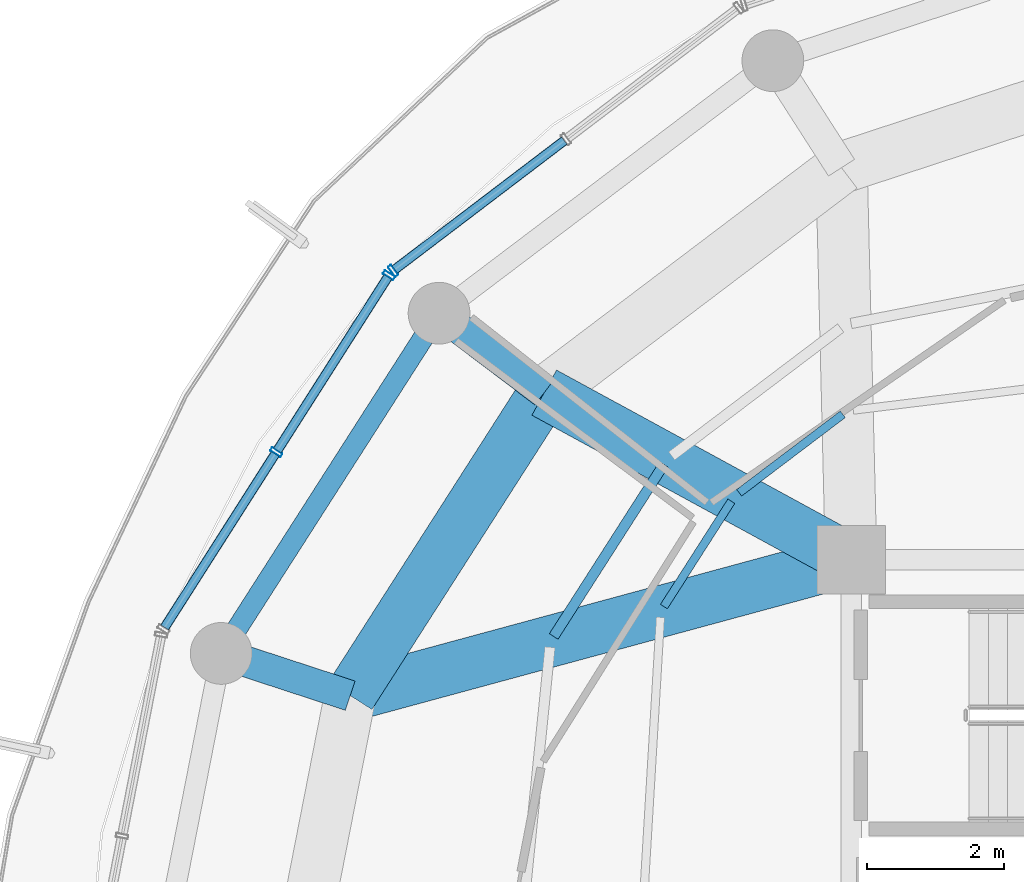
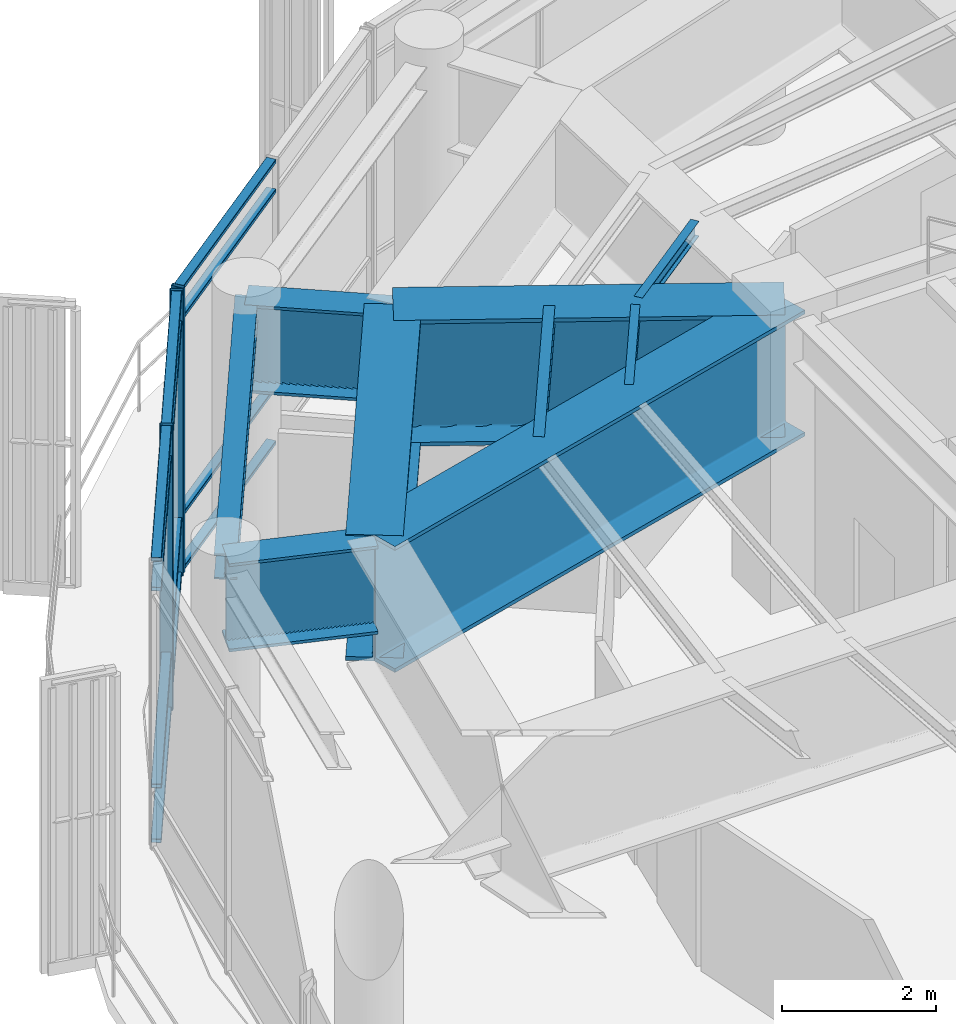
# One storey, part 8 of 23: 15 members, 9 beams, 2 elements without a shape of their own.
"""IFC4 building model written with IfcOpenShell, lengths in metres."""

from ifc_helpers import new_model, si_unit, direction, frame, origin, origin_2d, place, context, subcontext, project, spatial, hollow_rectangle, i_section, extrude, material, layer, layer_set, material_profile, profile_set, type_object, element, aggregate, save


model = new_model("IFC4")

# Units and contexts
model_context = context("Model", 3, precision=1e-05, world=origin(), true_north=direction((0.0, 1.0)))
body_context = subcontext(model_context, "Body", "Model", "MODEL_VIEW")
ifc_project = project(units=[si_unit("LENGTHUNIT", "METRE"), si_unit("AREAUNIT", "SQUARE_METRE"), si_unit("VOLUMEUNIT", "CUBIC_METRE"), si_unit("PLANEANGLEUNIT", "RADIAN"), si_unit("MASSUNIT", "GRAM", prefix="KILO")], contexts=[model_context])

# Site, building, storey
site_placement = place(None, origin())
site = spatial("IfcSite", under=ifc_project, at=site_placement, CompositionType="ELEMENT")
building_placement = place(site_placement, origin())
building = spatial("IfcBuilding", under=site, at=building_placement, Name="Kelanora Arch Commons", CompositionType="ELEMENT")
storey_placement = place(building_placement, frame((0.0, 0.0, 293.699951171875)))
storey = spatial("IfcBuildingStorey", under=building, at=storey_placement, Name="L75", CompositionType="ELEMENT", Elevation=293.699951171875)

# Beams
ifc_material_1 = material(Name="Steel S355", Category="steel")
ifc_material_profile_1 = material_profile(ifc_material_1, i_section(OverallWidth=0.14990234375, OverallDepth=0.300048828125, WebThickness=0.007080078125, FlangeThickness=0.0107421875, FilletRadius=0.014892578125, at=origin_2d()), Name="IPE300")
ifc_profile_set_1 = profile_set([ifc_material_profile_1], Name="Steel S355")
beam_type_1 = type_object("IfcBeamType", Name="BM-JST-01", PredefinedType="JOIST", material=ifc_profile_set_1)
beam_1_placement = place(storey_placement, frame((63.271484375, 66.39013671875, 4.39013671875), z_axis=(-0.539193378054, -0.84218198809, 0.0), x_axis=(0.84218198809, -0.539193378054, 0.0)))
element("IfcBeam", 1, at=beam_1_placement, inside=storey, type_object=beam_type_1, Name="Secondary Chord Joist BJB-14 L75", PredefinedType="JOIST", context=body_context, shape_type="SweptSolid", body=[
    extrude(i_section(OverallWidth=0.14990234375, OverallDepth=0.300048828125, WebThickness=0.007080078125, FlangeThickness=0.0107421875, FilletRadius=0.014892578125, at=origin_2d()), origin(), (0.0, 0.0, 1.0), 2.975830078125),
])
ifc_material_profile_2 = material_profile(ifc_material_1, i_section(OverallWidth=0.1201171875, OverallDepth=0.239990234375, WebThickness=0.006103515625, FlangeThickness=0.009765625, FilletRadius=0.014892578125, at=origin_2d()), Name="IPE240")
ifc_profile_set_2 = profile_set([ifc_material_profile_2], Name="Steel S355")
beam_type_2 = type_object("IfcBeamType", Name="BM-JST-02", PredefinedType="JOIST", material=ifc_profile_set_2)
beam_2_placement = place(storey_placement, frame((65.87890625, 67.119873046875, 4.420166015625), z_axis=(-0.797424826317, -0.603418301324, 0.0), x_axis=(0.603418301324, -0.797424826317, 0.0)))
element("IfcBeam", 2, at=beam_2_placement, inside=storey, type_object=beam_type_2, Name="Secondary Chord Joist BJA-12 L75", PredefinedType="JOIST", context=body_context, shape_type="SweptSolid", body=[
    extrude(i_section(OverallWidth=0.1201171875, OverallDepth=0.239990234375, WebThickness=0.006103515625, FlangeThickness=0.009765625, FilletRadius=0.014892578125, at=origin_2d()), origin(), (0.0, 0.0, 1.0), 1.893798828125),
])
beam_3_placement = place(storey_placement, frame((64.255126953125, 65.85400390625, 4.420166015625), z_axis=(-0.539300812993, -0.842113194947, 0.0), x_axis=(0.842113194947, -0.539300812993, 0.0)))
element("IfcBeam", 3, at=beam_3_placement, inside=storey, type_object=beam_type_2, Name="Secondary Chord Joist BJA-14 L75", PredefinedType="JOIST", context=body_context, shape_type="SweptSolid", body=[
    extrude(i_section(OverallWidth=0.1201171875, OverallDepth=0.239990234375, WebThickness=0.006103515625, FlangeThickness=0.009765625, FilletRadius=0.014892578125, at=origin_2d()), origin(), (0.0, 0.0, 1.0), 1.822021484375),
])
ifc_material_profile_3 = material_profile(ifc_material_1, i_section(OverallWidth=0.449951171875, OverallDepth=1.39990234375, WebThickness=0.028076171875, FlangeThickness=0.044921875, FilletRadius=0.02392578125, at=origin_2d()), Name="PG1400x450")
ifc_profile_set_3 = profile_set([ifc_material_profile_3], Name="Steel S355")
beam_type_3 = type_object("IfcBeamType", Name="BM-MAST-GRIL", PredefinedType="USERDEFINED", material=ifc_profile_set_3)
beam_4_placement = place(storey_placement, frame((61.52880859375, 67.43603515625, 3.820068359375), z_axis=(-0.798042616897, 0.60260101362, 0.0), x_axis=(-0.60260101362, -0.798042616897, 0.0)))
element("IfcBeam", 4, at=beam_4_placement, inside=storey, type_object=beam_type_3, Name="Radial Floor Girder BR-14 L75", ObjectType="TRANSFER_GIRDER", PredefinedType="USERDEFINED", context=body_context, shape_type="SweptSolid", body=[
    extrude(i_section(OverallWidth=0.449951171875, OverallDepth=1.39990234375, WebThickness=0.028076171875, FlangeThickness=0.044921875, FilletRadius=0.02392578125, at=origin_2d()), origin(), (0.0, 0.0, 1.0), 1.919921875),
])
beam_5_placement = place(storey_placement, frame((58.701904296875, 63.02099609375, 3.820068359375), z_axis=(-0.950336730407, 0.311223551228, 0.0), x_axis=(-0.311223551228, -0.950336730407, 0.0)))
element("IfcBeam", 5, at=beam_5_placement, inside=storey, type_object=beam_type_3, Name="Radial Floor Girder BR-16 L75", ObjectType="TRANSFER_GIRDER", PredefinedType="USERDEFINED", context=body_context, shape_type="SweptSolid", body=[
    extrude(i_section(OverallWidth=0.449951171875, OverallDepth=1.39990234375, WebThickness=0.028076171875, FlangeThickness=0.044921875, FilletRadius=0.02392578125, at=origin_2d()), origin(), (0.0, 0.0, 1.0), 1.9775390625),
])
ifc_material_profile_4 = material_profile(ifc_material_1, i_section(OverallWidth=0.300048828125, OverallDepth=0.39990234375, WebThickness=0.013427734375, FlangeThickness=0.02392578125, FilletRadius=0.027099609375, at=origin_2d()), Name="HEB400")
ifc_profile_set_4 = profile_set([ifc_material_profile_4], Name="Steel S355")
beam_type_4 = type_object("IfcBeamType", Name="BM-SPN-Z4", PredefinedType="SPANDREL", material=ifc_profile_set_4)
beam_6_placement = place(storey_placement, frame((59.99658203125, 68.593017578125, 4.320068359375), z_axis=(-0.539280851353, -0.842125978322, 0.0), x_axis=(0.842125978322, -0.539280851353, 0.0)))
element("IfcBeam", 6, at=beam_6_placement, inside=storey, type_object=beam_type_4, Name="Perimeter Spandrel Beam BS-14 L75", PredefinedType="SPANDREL", context=body_context, shape_type="SweptSolid", body=[
    extrude(i_section(OverallWidth=0.300048828125, OverallDepth=0.39990234375, WebThickness=0.013427734375, FlangeThickness=0.02392578125, FilletRadius=0.027099609375, at=origin_2d()), origin(), (0.0, 0.0, 1.0), 5.8857421875),
])
ifc_material_profile_5 = material_profile(ifc_material_1, i_section(OverallWidth=0.75, OverallDepth=2.0, WebThickness=0.034912109375, FlangeThickness=0.06005859375, FilletRadius=0.028076171875, at=origin_2d()), Name="PG2000x750")
ifc_profile_set_5 = profile_set([ifc_material_profile_5], Name="Steel S355")
beam_type_5 = type_object("IfcBeamType", Name="BM-XFER-SET", PredefinedType="USERDEFINED", material=ifc_profile_set_5)
beam_7_placement = place(storey_placement, frame((66.0, 65.0, 3.5400390625), z_axis=(-0.878126355987, 0.478428785631, 0.0), x_axis=(-0.478428785631, -0.878126355987, 0.0)))
element("IfcBeam", 7, at=beam_7_placement, inside=storey, type_object=beam_type_5, Name="Setback Radial Transfer Girder BRI-14 L75", ObjectType="TRANSFER_GIRDER", PredefinedType="USERDEFINED", context=body_context, shape_type="SweptSolid", body=[
    extrude(i_section(OverallWidth=0.75, OverallDepth=2.0, WebThickness=0.034912109375, FlangeThickness=0.06005859375, FilletRadius=0.028076171875, at=origin_2d()), origin(), (0.0, 0.0, 1.0), 5.091796875),
])
beam_8_placement = place(storey_placement, frame((66.0, 65.0, 3.5400390625), z_axis=(-0.965145027625, -0.26171563891, 0.0), x_axis=(0.26171563891, -0.965145027625, 0.0)))
element("IfcBeam", 8, at=beam_8_placement, inside=storey, type_object=beam_type_5, Name="Setback Radial Transfer Girder BRI-16 L75", ObjectType="TRANSFER_GIRDER", PredefinedType="USERDEFINED", context=body_context, shape_type="SweptSolid", body=[
    extrude(i_section(OverallWidth=0.75, OverallDepth=2.0, WebThickness=0.034912109375, FlangeThickness=0.06005859375, FilletRadius=0.028076171875, at=origin_2d()), origin(), (0.0, 0.0, 1.0), 7.561767578125),
])
beam_9_placement = place(storey_placement, frame((61.52880859375, 67.43603515625, 3.5400390625), z_axis=(-0.53922680048, -0.842160588987, 0.0), x_axis=(0.842160588987, -0.53922680048, 0.0)))
element("IfcBeam", 9, at=beam_9_placement, inside=storey, type_object=beam_type_5, Name="Setback Inner Transfer Ring BSI-14 L75", ObjectType="TRANSFER_GIRDER", PredefinedType="USERDEFINED", context=body_context, shape_type="SweptSolid", body=[
    extrude(i_section(OverallWidth=0.75, OverallDepth=2.0, WebThickness=0.034912109375, FlangeThickness=0.06005859375, FilletRadius=0.028076171875, at=origin_2d()), origin(), (0.0, 0.0, 1.0), 5.242431640625),
])

# Curtain wall, member
ifc_material_2 = material(Name="Terracotta ceramic-fritted low-E glass and aluminium", Category="masonry")
ifc_layer = layer(ifc_material_2, 0.22509765625)
ifc_layer_set = layer_set([ifc_layer], Name="Terracotta ceramic-fritted low-E glass and aluminium")
curtain_wall_type = type_object("IfcCurtainWallType", Name="CW-SYS-05", PredefinedType="NOTDEFINED", material=ifc_layer_set)
curtain_wall_1_placement = place(storey_placement, origin())
curtain_wall_1 = element("IfcCurtainWall", 10, at=curtain_wall_1_placement, inside=storey, type_object=curtain_wall_type, Name="Unitised Curtain Wall L75-B06", PredefinedType="NOTDEFINED")
ifc_material_3 = material(Name="Powder-coated aluminium terracotta", Category="masonry")
ifc_material_profile_6 = material_profile(ifc_material_3, hollow_rectangle(XDim=0.179931640625, YDim=0.06005859375, WallThickness=0.0048828125, InnerFilletRadius=0.0048828125, OuterFilletRadius=0.010009765625, at=origin_2d()), Name="CWM180x60")
ifc_profile_set_6 = profile_set([ifc_material_profile_6], Name="Powder-coated aluminium terracotta")
member_type_1 = type_object("IfcMemberType", Name="CWM-HVY", PredefinedType="MULLION", material=ifc_profile_set_6)
member_1_placement = place(storey_placement, frame((59.32763671875, 69.211669921875, 0.0), z_axis=(0.0, 0.0, 1.0), x_axis=(0.605284905243, -0.796008909174, 0.0)))
member_1 = element("IfcMember", 11, at=member_1_placement, type_object=member_type_1, Name="CW-05 mullion 3", PredefinedType="MULLION", context=body_context, shape_type="SweptSolid", body=[
    extrude(hollow_rectangle(XDim=0.179931640625, YDim=0.06005859375, WallThickness=0.0048828125, InnerFilletRadius=0.0048828125, OuterFilletRadius=0.010009765625, at=origin_2d()), origin(), (0.0, 0.0, 1.0), 4.525146484375),
])

# Curtain wall, members
curtain_wall_2_placement = place(storey_placement, origin())
curtain_wall_2 = element("IfcCurtainWall", 12, at=curtain_wall_2_placement, inside=storey, type_object=curtain_wall_type, Name="Unitised Curtain Wall L75-B07", PredefinedType="NOTDEFINED")
member_2_placement = place(storey_placement, frame((59.267578125, 69.146484375, 0.0), z_axis=(0.0, 0.0, 1.0), x_axis=(0.843391314545, -0.537299814397, 0.0)))
member_2 = element("IfcMember", 13, at=member_2_placement, type_object=member_type_1, Name="CW-05 mullion 1", PredefinedType="MULLION", context=body_context, shape_type="SweptSolid", body=[
    extrude(hollow_rectangle(XDim=0.179931640625, YDim=0.06005859375, WallThickness=0.0048828125, InnerFilletRadius=0.0048828125, OuterFilletRadius=0.010009765625, at=origin_2d()), origin(), (0.0, 0.0, 1.0), 4.525146484375),
])
member_3_placement = place(storey_placement, frame((57.625, 66.56787109375, 0.0), z_axis=(0.0, 0.0, 1.0), x_axis=(0.843391314545, -0.537299814397, 0.0)))
member_3 = element("IfcMember", 14, at=member_3_placement, type_object=member_type_1, Name="CW-05 mullion 2", PredefinedType="MULLION", context=body_context, shape_type="SweptSolid", body=[
    extrude(hollow_rectangle(XDim=0.179931640625, YDim=0.06005859375, WallThickness=0.0048828125, InnerFilletRadius=0.0048828125, OuterFilletRadius=0.010009765625, at=origin_2d()), origin(), (0.0, 0.0, 1.0), 4.525146484375),
])

# Member
ifc_material_profile_7 = material_profile(ifc_material_3, hollow_rectangle(XDim=0.139892578125, YDim=0.06005859375, WallThickness=0.0048828125, InnerFilletRadius=0.0048828125, OuterFilletRadius=0.010009765625, at=origin_2d()), Name="CWT140x60")
ifc_profile_set_7 = profile_set([ifc_material_profile_7], Name="Powder-coated aluminium terracotta")
member_type_2 = type_object("IfcMemberType", Name="CWT-HVY", PredefinedType="USERDEFINED", material=ifc_profile_set_7)
member_4_placement = place(storey_placement, frame((61.822021484375, 71.1083984375, 0.030029296875), z_axis=(-0.796027260327, -0.605260770922, 0.0), x_axis=(0.605260770922, -0.796027260327, 0.0)))
member_4 = element("IfcMember", 15, at=member_4_placement, type_object=member_type_2, Name="CW-05 transom 2.1", ObjectType="TRANSOM", PredefinedType="USERDEFINED", context=body_context, shape_type="SweptSolid", body=[
    extrude(hollow_rectangle(XDim=0.139892578125, YDim=0.06005859375, WallThickness=0.0048828125, InnerFilletRadius=0.0048828125, OuterFilletRadius=0.010009765625, at=origin_2d()), origin(), (0.0, 0.0, 1.0), 3.103515625),
])

member_5_placement = place(storey_placement, frame((61.822021484375, 71.1083984375, 0.900146484375), z_axis=(-0.796027260327, -0.605260770922, 0.0), x_axis=(0.605260770922, -0.796027260327, 0.0)))
member_5 = element("IfcMember", 16, at=member_5_placement, type_object=member_type_2, Name="CW-05 transom 2.2", ObjectType="TRANSOM", PredefinedType="USERDEFINED", context=body_context, shape_type="SweptSolid", body=[
    extrude(hollow_rectangle(XDim=0.139892578125, YDim=0.06005859375, WallThickness=0.0048828125, InnerFilletRadius=0.0048828125, OuterFilletRadius=0.010009765625, at=origin_2d()), origin(), (0.0, 0.0, 1.0), 3.103515625),
])

member_6_placement = place(storey_placement, frame((61.822021484375, 71.1083984375, 4.025146484375), z_axis=(-0.796027260327, -0.605260770922, 0.0), x_axis=(0.605260770922, -0.796027260327, 0.0)))
member_6 = element("IfcMember", 17, at=member_6_placement, type_object=member_type_2, Name="CW-05 transom 2.3", ObjectType="TRANSOM", PredefinedType="USERDEFINED", context=body_context, shape_type="SweptSolid", body=[
    extrude(hollow_rectangle(XDim=0.139892578125, YDim=0.06005859375, WallThickness=0.0048828125, InnerFilletRadius=0.0048828125, OuterFilletRadius=0.010009765625, at=origin_2d()), origin(), (0.0, 0.0, 1.0), 3.103515625),
])

member_7_placement = place(storey_placement, frame((61.822021484375, 71.1083984375, 4.4951171875), z_axis=(-0.796027260327, -0.605260770922, 0.0), x_axis=(0.605260770922, -0.796027260327, 0.0)))
member_7 = element("IfcMember", 18, at=member_7_placement, type_object=member_type_2, Name="CW-05 transom 2.4", ObjectType="TRANSOM", PredefinedType="USERDEFINED", context=body_context, shape_type="SweptSolid", body=[
    extrude(hollow_rectangle(XDim=0.139892578125, YDim=0.06005859375, WallThickness=0.0048828125, InnerFilletRadius=0.0048828125, OuterFilletRadius=0.010009765625, at=origin_2d()), origin(), (0.0, 0.0, 1.0), 3.103515625),
])

aggregate(curtain_wall_1, [member_1, member_4, member_5, member_6, member_7])

member_8_placement = place(storey_placement, frame((59.25146484375, 69.12109375, 0.030029296875), z_axis=(-0.537286543791, -0.84339976871, 0.0), x_axis=(0.84339976871, -0.537286543791, 0.0)))
member_8 = element("IfcMember", 19, at=member_8_placement, type_object=member_type_2, Name="CW-05 transom 1.1", ObjectType="TRANSOM", PredefinedType="USERDEFINED", context=body_context, shape_type="SweptSolid", body=[
    extrude(hollow_rectangle(XDim=0.139892578125, YDim=0.06005859375, WallThickness=0.0048828125, InnerFilletRadius=0.0048828125, OuterFilletRadius=0.010009765625, at=origin_2d()), origin(), (0.0, 0.0, 1.0), 2.997314453125),
])

member_9_placement = place(storey_placement, frame((59.25146484375, 69.12109375, 0.900146484375), z_axis=(-0.537286543791, -0.84339976871, 0.0), x_axis=(0.84339976871, -0.537286543791, 0.0)))
member_9 = element("IfcMember", 20, at=member_9_placement, type_object=member_type_2, Name="CW-05 transom 1.2", ObjectType="TRANSOM", PredefinedType="USERDEFINED", context=body_context, shape_type="SweptSolid", body=[
    extrude(hollow_rectangle(XDim=0.139892578125, YDim=0.06005859375, WallThickness=0.0048828125, InnerFilletRadius=0.0048828125, OuterFilletRadius=0.010009765625, at=origin_2d()), origin(), (0.0, 0.0, 1.0), 2.997314453125),
])

member_10_placement = place(storey_placement, frame((59.25146484375, 69.12109375, 4.025146484375), z_axis=(-0.537286543791, -0.84339976871, 0.0), x_axis=(0.84339976871, -0.537286543791, 0.0)))
member_10 = element("IfcMember", 21, at=member_10_placement, type_object=member_type_2, Name="CW-05 transom 1.3", ObjectType="TRANSOM", PredefinedType="USERDEFINED", context=body_context, shape_type="SweptSolid", body=[
    extrude(hollow_rectangle(XDim=0.139892578125, YDim=0.06005859375, WallThickness=0.0048828125, InnerFilletRadius=0.0048828125, OuterFilletRadius=0.010009765625, at=origin_2d()), origin(), (0.0, 0.0, 1.0), 2.997314453125),
])

member_11_placement = place(storey_placement, frame((59.25146484375, 69.12109375, 4.4951171875), z_axis=(-0.537286543791, -0.84339976871, 0.0), x_axis=(0.84339976871, -0.537286543791, 0.0)))
member_11 = element("IfcMember", 22, at=member_11_placement, type_object=member_type_2, Name="CW-05 transom 1.4", ObjectType="TRANSOM", PredefinedType="USERDEFINED", context=body_context, shape_type="SweptSolid", body=[
    extrude(hollow_rectangle(XDim=0.139892578125, YDim=0.06005859375, WallThickness=0.0048828125, InnerFilletRadius=0.0048828125, OuterFilletRadius=0.010009765625, at=origin_2d()), origin(), (0.0, 0.0, 1.0), 2.997314453125),
])

member_12_placement = place(storey_placement, frame((57.60888671875, 66.54248046875, 0.030029296875), z_axis=(-0.537307571338, -0.843386372775, 0.0), x_axis=(0.843386372775, -0.537307571338, 0.0)))
member_12 = element("IfcMember", 23, at=member_12_placement, type_object=member_type_2, Name="CW-05 transom 2.1", ObjectType="TRANSOM", PredefinedType="USERDEFINED", context=body_context, shape_type="SweptSolid", body=[
    extrude(hollow_rectangle(XDim=0.139892578125, YDim=0.06005859375, WallThickness=0.0048828125, InnerFilletRadius=0.0048828125, OuterFilletRadius=0.010009765625, at=origin_2d()), origin(), (0.0, 0.0, 1.0), 2.99755859375),
])

member_13_placement = place(storey_placement, frame((57.60888671875, 66.54248046875, 0.900146484375), z_axis=(-0.537307571338, -0.843386372775, 0.0), x_axis=(0.843386372775, -0.537307571338, 0.0)))
member_13 = element("IfcMember", 24, at=member_13_placement, type_object=member_type_2, Name="CW-05 transom 2.2", ObjectType="TRANSOM", PredefinedType="USERDEFINED", context=body_context, shape_type="SweptSolid", body=[
    extrude(hollow_rectangle(XDim=0.139892578125, YDim=0.06005859375, WallThickness=0.0048828125, InnerFilletRadius=0.0048828125, OuterFilletRadius=0.010009765625, at=origin_2d()), origin(), (0.0, 0.0, 1.0), 2.99755859375),
])

member_14_placement = place(storey_placement, frame((57.60888671875, 66.54248046875, 4.025146484375), z_axis=(-0.537307571338, -0.843386372775, 0.0), x_axis=(0.843386372775, -0.537307571338, 0.0)))
member_14 = element("IfcMember", 25, at=member_14_placement, type_object=member_type_2, Name="CW-05 transom 2.3", ObjectType="TRANSOM", PredefinedType="USERDEFINED", context=body_context, shape_type="SweptSolid", body=[
    extrude(hollow_rectangle(XDim=0.139892578125, YDim=0.06005859375, WallThickness=0.0048828125, InnerFilletRadius=0.0048828125, OuterFilletRadius=0.010009765625, at=origin_2d()), origin(), (0.0, 0.0, 1.0), 2.99755859375),
])

member_15_placement = place(storey_placement, frame((57.60888671875, 66.54248046875, 4.4951171875), z_axis=(-0.537307571338, -0.843386372775, 0.0), x_axis=(0.843386372775, -0.537307571338, 0.0)))
member_15 = element("IfcMember", 26, at=member_15_placement, type_object=member_type_2, Name="CW-05 transom 2.4", ObjectType="TRANSOM", PredefinedType="USERDEFINED", context=body_context, shape_type="SweptSolid", body=[
    extrude(hollow_rectangle(XDim=0.139892578125, YDim=0.06005859375, WallThickness=0.0048828125, InnerFilletRadius=0.0048828125, OuterFilletRadius=0.010009765625, at=origin_2d()), origin(), (0.0, 0.0, 1.0), 2.99755859375),
])

aggregate(curtain_wall_2, [member_2, member_3, member_8, member_9, member_10, member_11, member_12, member_13, member_14, member_15])

save(model, "model.ifc")
